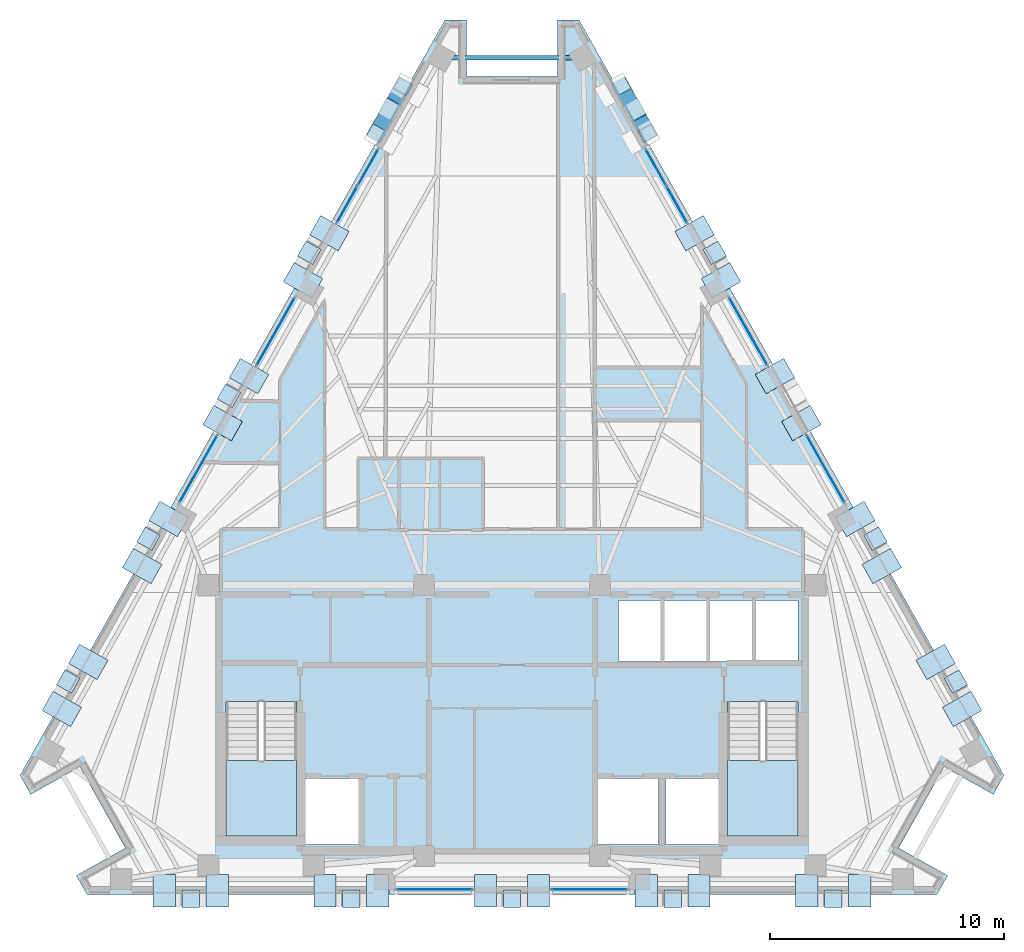
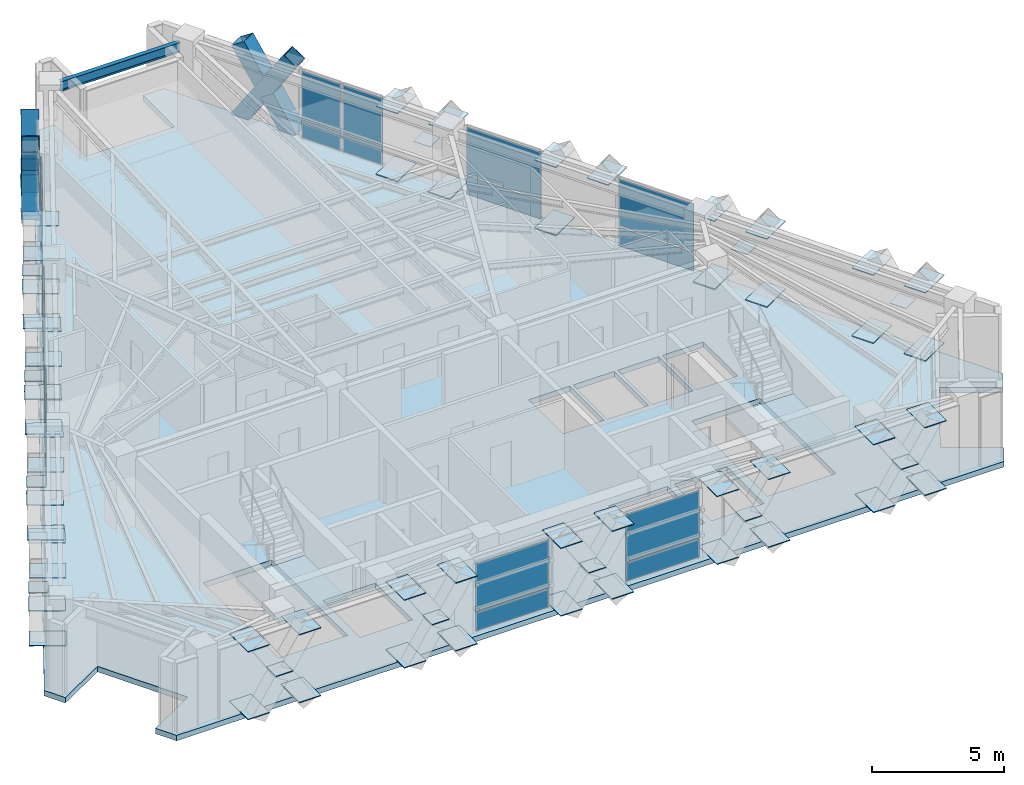
# One storey, part 6 of 12: 83 plates, 6 members, 3 slabs, 1 beam, 10 elements without a shape of their own.
"""IFC4 building model written with IfcOpenShell, lengths in metres."""

from ifc_helpers import new_model, si_unit, direction, frame, origin, origin_2d, place, context, subcontext, project, spatial, polyline, rectangle, hollow_rectangle, i_section, outline, extrude, material, layer, layer_set, material_profile, profile_set, type_object, element, aggregate, save


model = new_model("IFC4")

# Units and contexts
model_context = context("Model", 3, precision=1e-05, world=origin(), true_north=direction((0.0, 1.0)))
body_context = subcontext(model_context, "Body", "Model", "MODEL_VIEW")
ifc_project = project(units=[si_unit("LENGTHUNIT", "METRE"), si_unit("AREAUNIT", "SQUARE_METRE"), si_unit("VOLUMEUNIT", "CUBIC_METRE"), si_unit("PLANEANGLEUNIT", "RADIAN"), si_unit("MASSUNIT", "GRAM", prefix="KILO")], contexts=[model_context])

# Site, building, storey
site_placement = place(None, origin())
site = spatial("IfcSite", under=ifc_project, at=site_placement, CompositionType="ELEMENT")
building_placement = place(site_placement, origin())
building = spatial("IfcBuilding", under=site, at=building_placement, Name="Quenlor Broadcast Tower", CompositionType="ELEMENT")
storey_placement = place(building_placement, frame((0.0, 0.0, 193.89990234375)))
storey = spatial("IfcBuildingStorey", under=building, at=storey_placement, Name="L53", CompositionType="ELEMENT", Elevation=193.89990234375)

# Members
ifc_material_1 = material(Name="Steel S355", Category="steel")
ifc_material_profile_1 = material_profile(ifc_material_1, hollow_rectangle(XDim=0.679931640625, YDim=0.679931640625, WallThickness=0.02490234375, at=origin_2d()))
ifc_profile_set_1 = profile_set([ifc_material_profile_1], Name="Steel S355 RHS680x680x25")
member_type = type_object("IfcMemberType", Name="Perimeter Diagonal Lattice Brace Z3-Z4 Steel S355 RHS680x25", PredefinedType="BRACE", material=ifc_profile_set_1)
member_1_placement = place(storey_placement, frame((4.650390625, 16.4794921875, -0.119873046875), z_axis=(0.269493020061, -0.479144022478, 0.835340959047), x_axis=(0.871595351467, 0.490226012469, 0.0)))
element("IfcMember", 1, at=member_1_placement, inside=storey, type_object=member_type, Name="L53 Perimeter Diamond Lattice NE-C1XA", PredefinedType="BRACE", context=body_context, shape_type="SweptSolid", body=[
    extrude(hollow_rectangle(XDim=0.679931640625, YDim=0.679931640625, WallThickness=0.02490234375, at=origin_2d()), origin(), (0.0, 0.0, 1.0), 4.18994140625),
])
for number, where, z_axis, x_axis, name in (
    (2, (5.779541015625, 14.471923828125, -0.119873046875), (-0.269535527865, 0.479130165145, 0.835335192642), (-0.871556252289, -0.490295522207, 0.0), "L53 Perimeter Diamond Lattice NE-C1XB1"),
    (3, (5.147705078125, 15.595458984375, 1.8388671875), (-0.269535527865, 0.479130165145, 0.835335192642), (-0.871556252289, -0.490295522207, 0.0), "L53 Perimeter Diamond Lattice NE-C1XB2"),
):
    element("IfcMember", number, at=place(storey_placement, frame(where, z_axis=z_axis, x_axis=x_axis)), inside=storey, type_object=member_type, Name=name, PredefinedType="BRACE", context=body_context, shape_type="SweptSolid", body=[
        extrude(hollow_rectangle(XDim=0.679931640625, YDim=0.679931640625, WallThickness=0.02490234375, at=origin_2d()), origin(), (0.0, 0.0, 1.0), 1.844970703125),
    ])
member_2_placement = place(storey_placement, frame((-5.779541015625, 14.471923828125, -0.119873046875), z_axis=(0.269493020061, 0.479144022478, 0.835340959047), x_axis=(-0.871595351467, 0.490226012469, 0.0)))
element("IfcMember", 4, at=member_2_placement, inside=storey, type_object=member_type, Name="L53 Perimeter Diamond Lattice NW-C5XA", PredefinedType="BRACE", context=body_context, shape_type="SweptSolid", body=[
    extrude(hollow_rectangle(XDim=0.679931640625, YDim=0.679931640625, WallThickness=0.02490234375, at=origin_2d()), origin(), (0.0, 0.0, 1.0), 4.18994140625),
])
for number, where, z_axis, x_axis, name in (
    (5, (-4.650390625, 16.4794921875, -0.119873046875), (-0.269535527865, -0.479130165145, 0.835335192642), (0.871556252289, -0.490295522207, 0.0), "L53 Perimeter Diamond Lattice NW-C5XB1"),
    (6, (-5.2822265625, 15.35595703125, 1.8388671875), (-0.269535527865, -0.479130165145, 0.835335192642), (0.871556252289, -0.490295522207, 0.0), "L53 Perimeter Diamond Lattice NW-C5XB2"),
):
    element("IfcMember", number, at=place(storey_placement, frame(where, z_axis=z_axis, x_axis=x_axis)), inside=storey, type_object=member_type, Name=name, PredefinedType="BRACE", context=body_context, shape_type="SweptSolid", body=[
        extrude(hollow_rectangle(XDim=0.679931640625, YDim=0.679931640625, WallThickness=0.02490234375, at=origin_2d()), origin(), (0.0, 0.0, 1.0), 1.844970703125),
    ])

# Beam
ifc_material_2 = material(Name="Steel S355", Category="steel")
ifc_material_profile_2 = material_profile(ifc_material_2, i_section(OverallWidth=0.18994140625, OverallDepth=0.453857421875, WebThickness=0.008544921875, FlangeThickness=0.0126953125, FilletRadius=0.011474609375, at=origin_2d()))
ifc_profile_set_2 = profile_set([ifc_material_profile_2], Name="Steel S355 460UB67.1")
beam_type = type_object("IfcBeamType", Name="Perimeter Spandrel Beam Z4 Steel S355 460UB67.1", PredefinedType="SPANDREL", material=ifc_profile_set_2)
beam_placement = place(storey_placement, frame((2.610595703125, 17.704345703125, 3.023193359375), z_axis=(-1.0, 0.0, 0.0), x_axis=(0.0, -1.0, 0.0)))
element("IfcBeam", 7, at=beam_placement, inside=storey, type_object=beam_type, Name="L53 Spandrel Beam NE4-NW1", PredefinedType="SPANDREL", context=body_context, shape_type="SweptSolid", body=[
    extrude(i_section(OverallWidth=0.18994140625, OverallDepth=0.453857421875, WebThickness=0.008544921875, FlangeThickness=0.0126953125, FilletRadius=0.011474609375, at=origin_2d()), origin(), (0.0, 0.0, 1.0), 5.22119140625),
])

# Curtain wall, plates
ifc_material_3 = material(Name="Architectural Terracotta and Low-E Glazing", Category="masonry")
curtain_wall_type = type_object("IfcCurtainWallType", Name="Unitised Terracotta Curtain Wall System Z4", PredefinedType="NOTDEFINED", material=ifc_material_3)
curtain_wall_1_placement = place(storey_placement, origin())
curtain_wall_1 = element("IfcCurtainWall", 8, at=curtain_wall_1_placement, inside=storey, type_object=curtain_wall_type, Name="L53 Curtain Wall CW4 (L53-S-G1)", PredefinedType="NOTDEFINED")
ifc_material_4 = material(Name="Double Glazed Low-E Solar Glass", Category="glass")
ifc_layer_1 = layer(ifc_material_4, 0.028076171875)
ifc_layer_set_1 = layer_set([ifc_layer_1], Name="CW4 Double Glazed Vision Panel 28")
plate_type_1 = type_object("IfcPlateType", Name="CW4 Double Glazed Vision Panel 28", PredefinedType="CURTAIN_PANEL", material=ifc_layer_set_1)
plate_1_placement = place(storey_placement, frame((3.29443359375, -17.77490234375, 0.068359375), z_axis=(0.0, 0.0, 1.0), x_axis=(-1.0, 0.0, 0.0)))
plate_1 = element("IfcPlate", 9, at=plate_1_placement, type_object=plate_type_1, Name="CW4 panel 1.1", PredefinedType="CURTAIN_PANEL", context=body_context, shape_type="SweptSolid", body=[
    extrude(rectangle(XDim=3.210693359375, YDim=0.028076171875, at=origin_2d()), origin(), (0.0, 0.0, 1.0), 0.847900390625),
])
plate_2_placement = place(storey_placement, frame((3.29443359375, -17.77490234375, 0.98388671875), z_axis=(0.0, 0.0, 1.0), x_axis=(-1.0, 0.0, 0.0)))
plate_2 = element("IfcPlate", 10, at=plate_2_placement, type_object=plate_type_1, Name="CW4 panel 1.2", PredefinedType="CURTAIN_PANEL", context=body_context, shape_type="SweptSolid", body=[
    extrude(rectangle(XDim=3.210693359375, YDim=0.028076171875, at=origin_2d()), origin(), (0.0, 0.0, 1.0), 2.197998046875),
])
aggregate(curtain_wall_1, [plate_1, plate_2])

curtain_wall_2_placement = place(storey_placement, origin())
curtain_wall_2 = element("IfcCurtainWall", 11, at=curtain_wall_2_placement, inside=storey, type_object=curtain_wall_type, Name="L53 Curtain Wall CW4 (L53-S-G2)", PredefinedType="NOTDEFINED")
plate_3_placement = place(storey_placement, frame((-3.29443359375, -17.77490234375, 0.068359375), z_axis=(0.0, 0.0, 1.0), x_axis=(-1.0, 0.0, 0.0)))
plate_3 = element("IfcPlate", 12, at=plate_3_placement, type_object=plate_type_1, Name="CW4 panel 1.1", PredefinedType="CURTAIN_PANEL", context=body_context, shape_type="SweptSolid", body=[
    extrude(rectangle(XDim=3.210693359375, YDim=0.028076171875, at=origin_2d()), origin(), (0.0, 0.0, 1.0), 0.847900390625),
])
plate_4_placement = place(storey_placement, frame((-3.29443359375, -17.77490234375, 0.98388671875), z_axis=(0.0, 0.0, 1.0), x_axis=(-1.0, 0.0, 0.0)))
plate_4 = element("IfcPlate", 13, at=plate_4_placement, type_object=plate_type_1, Name="CW4 panel 1.2", PredefinedType="CURTAIN_PANEL", context=body_context, shape_type="SweptSolid", body=[
    extrude(rectangle(XDim=3.210693359375, YDim=0.028076171875, at=origin_2d()), origin(), (0.0, 0.0, 1.0), 2.197998046875),
])
aggregate(curtain_wall_2, [plate_3, plate_4])

curtain_wall_3_placement = place(storey_placement, origin())
curtain_wall_3 = element("IfcCurtainWall", 14, at=curtain_wall_3_placement, inside=storey, type_object=curtain_wall_type, Name="L53 Curtain Wall CW4 (L53-NEA-G1)", PredefinedType="NOTDEFINED")
plate_5_placement = place(storey_placement, frame((6.13916015625, 13.02685546875, 0.068359375), z_axis=(0.0, 0.0, 1.0), x_axis=(0.490259959025, -0.871576257465, 0.0)))
plate_5 = element("IfcPlate", 15, at=plate_5_placement, type_object=plate_type_1, Name="CW4 panel 1.1", PredefinedType="CURTAIN_PANEL", context=body_context, shape_type="SweptSolid", body=[
    extrude(rectangle(XDim=1.751708984375, YDim=0.028076171875, at=origin_2d()), origin(), (0.0, 0.0, 1.0), 0.847900390625),
])
plate_6_placement = place(storey_placement, frame((6.13916015625, 13.02685546875, 0.98388671875), z_axis=(0.0, 0.0, 1.0), x_axis=(0.490259959025, -0.871576257465, 0.0)))
plate_6 = element("IfcPlate", 16, at=plate_6_placement, type_object=plate_type_1, Name="CW4 panel 1.2", PredefinedType="CURTAIN_PANEL", context=body_context, shape_type="SweptSolid", body=[
    extrude(rectangle(XDim=1.751708984375, YDim=0.028076171875, at=origin_2d()), origin(), (0.0, 0.0, 1.0), 2.197998046875),
])
plate_7_placement = place(storey_placement, frame((7.03125, 11.44091796875, 0.068359375), z_axis=(0.0, 0.0, 1.0), x_axis=(0.490259959025, -0.871576257465, 0.0)))
plate_7 = element("IfcPlate", 17, at=plate_7_placement, type_object=plate_type_1, Name="CW4 panel 2.1", PredefinedType="CURTAIN_PANEL", context=body_context, shape_type="SweptSolid", body=[
    extrude(rectangle(XDim=1.751708984375, YDim=0.028076171875, at=origin_2d()), origin(), (0.0, 0.0, 1.0), 0.847900390625),
])
plate_8_placement = place(storey_placement, frame((7.03125, 11.44091796875, 0.98388671875), z_axis=(0.0, 0.0, 1.0), x_axis=(0.490259959025, -0.871576257465, 0.0)))
plate_8 = element("IfcPlate", 18, at=plate_8_placement, type_object=plate_type_1, Name="CW4 panel 2.2", PredefinedType="CURTAIN_PANEL", context=body_context, shape_type="SweptSolid", body=[
    extrude(rectangle(XDim=1.751708984375, YDim=0.028076171875, at=origin_2d()), origin(), (0.0, 0.0, 1.0), 2.197998046875),
])
aggregate(curtain_wall_3, [plate_5, plate_6, plate_7, plate_8])

curtain_wall_4_placement = place(storey_placement, origin())
curtain_wall_4 = element("IfcCurtainWall", 19, at=curtain_wall_4_placement, inside=storey, type_object=curtain_wall_type, Name="L53 Curtain Wall CW4 (L53-NE-G1)", PredefinedType="NOTDEFINED")
plate_9_placement = place(storey_placement, frame((10.081787109375, 6.01806640625, 0.068359375), z_axis=(0.0, 0.0, 1.0), x_axis=(0.490257089819, -0.871577871382, 0.0)))
plate_9 = element("IfcPlate", 20, at=plate_9_placement, type_object=plate_type_1, Name="CW4 panel 1.1", PredefinedType="CURTAIN_PANEL", context=body_context, shape_type="SweptSolid", body=[
    extrude(rectangle(XDim=3.29638671875, YDim=0.028076171875, at=origin_2d()), origin(), (0.0, 0.0, 1.0), 0.847900390625),
])
plate_10_placement = place(storey_placement, frame((10.081787109375, 6.01806640625, 0.98388671875), z_axis=(0.0, 0.0, 1.0), x_axis=(0.490257089819, -0.871577871382, 0.0)))
plate_10 = element("IfcPlate", 21, at=plate_10_placement, type_object=plate_type_1, Name="CW4 panel 1.2", PredefinedType="CURTAIN_PANEL", context=body_context, shape_type="SweptSolid", body=[
    extrude(rectangle(XDim=3.29638671875, YDim=0.028076171875, at=origin_2d()), origin(), (0.0, 0.0, 1.0), 2.197998046875),
])
aggregate(curtain_wall_4, [plate_9, plate_10])

curtain_wall_5_placement = place(storey_placement, origin())
curtain_wall_5 = element("IfcCurtainWall", 22, at=curtain_wall_5_placement, inside=storey, type_object=curtain_wall_type, Name="L53 Curtain Wall CW4 (L53-NE-G2)", PredefinedType="NOTDEFINED")
plate_11_placement = place(storey_placement, frame((13.3759765625, 0.161376953125, 0.068359375), z_axis=(0.0, 0.0, 1.0), x_axis=(0.490257089819, -0.871577871382, 0.0)))
plate_11 = element("IfcPlate", 23, at=plate_11_placement, type_object=plate_type_1, Name="CW4 panel 1.1", PredefinedType="CURTAIN_PANEL", context=body_context, shape_type="SweptSolid", body=[
    extrude(rectangle(XDim=3.29638671875, YDim=0.028076171875, at=origin_2d()), origin(), (0.0, 0.0, 1.0), 0.847900390625),
])
plate_12_placement = place(storey_placement, frame((13.3759765625, 0.161376953125, 0.98388671875), z_axis=(0.0, 0.0, 1.0), x_axis=(0.490257089819, -0.871577871382, 0.0)))
plate_12 = element("IfcPlate", 24, at=plate_12_placement, type_object=plate_type_1, Name="CW4 panel 1.2", PredefinedType="CURTAIN_PANEL", context=body_context, shape_type="SweptSolid", body=[
    extrude(rectangle(XDim=3.29638671875, YDim=0.028076171875, at=origin_2d()), origin(), (0.0, 0.0, 1.0), 2.197998046875),
])
aggregate(curtain_wall_5, [plate_11, plate_12])

curtain_wall_6_placement = place(storey_placement, origin())
curtain_wall_6 = element("IfcCurtainWall", 25, at=curtain_wall_6_placement, inside=storey, type_object=curtain_wall_type, Name="L53 Curtain Wall CW4 (L53-NWC-G1)", PredefinedType="NOTDEFINED")
plate_13_placement = place(storey_placement, frame((-7.03125, 11.44091796875, 0.068359375), z_axis=(0.0, 0.0, 1.0), x_axis=(0.490259959025, 0.871576257465, 0.0)))
plate_13 = element("IfcPlate", 26, at=plate_13_placement, type_object=plate_type_1, Name="CW4 panel 1.1", PredefinedType="CURTAIN_PANEL", context=body_context, shape_type="SweptSolid", body=[
    extrude(rectangle(XDim=1.751708984375, YDim=0.028076171875, at=origin_2d()), origin(), (0.0, 0.0, 1.0), 0.847900390625),
])
plate_14_placement = place(storey_placement, frame((-7.03125, 11.44091796875, 0.98388671875), z_axis=(0.0, 0.0, 1.0), x_axis=(0.490259959025, 0.871576257465, 0.0)))
plate_14 = element("IfcPlate", 27, at=plate_14_placement, type_object=plate_type_1, Name="CW4 panel 1.2", PredefinedType="CURTAIN_PANEL", context=body_context, shape_type="SweptSolid", body=[
    extrude(rectangle(XDim=1.751708984375, YDim=0.028076171875, at=origin_2d()), origin(), (0.0, 0.0, 1.0), 2.197998046875),
])
plate_15_placement = place(storey_placement, frame((-6.13916015625, 13.02685546875, 0.068359375), z_axis=(0.0, 0.0, 1.0), x_axis=(0.490259959025, 0.871576257465, 0.0)))
plate_15 = element("IfcPlate", 28, at=plate_15_placement, type_object=plate_type_1, Name="CW4 panel 2.1", PredefinedType="CURTAIN_PANEL", context=body_context, shape_type="SweptSolid", body=[
    extrude(rectangle(XDim=1.751708984375, YDim=0.028076171875, at=origin_2d()), origin(), (0.0, 0.0, 1.0), 0.847900390625),
])
plate_16_placement = place(storey_placement, frame((-6.13916015625, 13.02685546875, 0.98388671875), z_axis=(0.0, 0.0, 1.0), x_axis=(0.490259959025, 0.871576257465, 0.0)))
plate_16 = element("IfcPlate", 29, at=plate_16_placement, type_object=plate_type_1, Name="CW4 panel 2.2", PredefinedType="CURTAIN_PANEL", context=body_context, shape_type="SweptSolid", body=[
    extrude(rectangle(XDim=1.751708984375, YDim=0.028076171875, at=origin_2d()), origin(), (0.0, 0.0, 1.0), 2.197998046875),
])
aggregate(curtain_wall_6, [plate_13, plate_14, plate_15, plate_16])

curtain_wall_7_placement = place(storey_placement, origin())
curtain_wall_7 = element("IfcCurtainWall", 30, at=curtain_wall_7_placement, inside=storey, type_object=curtain_wall_type, Name="L53 Curtain Wall CW4 (L53-NW-G1)", PredefinedType="NOTDEFINED")
plate_17_placement = place(storey_placement, frame((-13.3759765625, 0.161376953125, 0.068359375), z_axis=(0.0, 0.0, 1.0), x_axis=(0.490257089819, 0.871577871382, 0.0)))
plate_17 = element("IfcPlate", 31, at=plate_17_placement, type_object=plate_type_1, Name="CW4 panel 1.1", PredefinedType="CURTAIN_PANEL", context=body_context, shape_type="SweptSolid", body=[
    extrude(rectangle(XDim=3.29638671875, YDim=0.028076171875, at=origin_2d()), origin(), (0.0, 0.0, 1.0), 0.847900390625),
])
plate_18_placement = place(storey_placement, frame((-13.3759765625, 0.161376953125, 0.98388671875), z_axis=(0.0, 0.0, 1.0), x_axis=(0.490257089819, 0.871577871382, 0.0)))
plate_18 = element("IfcPlate", 32, at=plate_18_placement, type_object=plate_type_1, Name="CW4 panel 1.2", PredefinedType="CURTAIN_PANEL", context=body_context, shape_type="SweptSolid", body=[
    extrude(rectangle(XDim=3.29638671875, YDim=0.028076171875, at=origin_2d()), origin(), (0.0, 0.0, 1.0), 2.197998046875),
])
aggregate(curtain_wall_7, [plate_17, plate_18])

curtain_wall_8_placement = place(storey_placement, origin())
curtain_wall_8 = element("IfcCurtainWall", 33, at=curtain_wall_8_placement, inside=storey, type_object=curtain_wall_type, Name="L53 Curtain Wall CW4 (L53-NW-G2)", PredefinedType="NOTDEFINED")
plate_19_placement = place(storey_placement, frame((-10.081787109375, 6.01806640625, 0.068359375), z_axis=(0.0, 0.0, 1.0), x_axis=(0.490257089819, 0.871577871382, 0.0)))
plate_19 = element("IfcPlate", 34, at=plate_19_placement, type_object=plate_type_1, Name="CW4 panel 1.1", PredefinedType="CURTAIN_PANEL", context=body_context, shape_type="SweptSolid", body=[
    extrude(rectangle(XDim=3.29638671875, YDim=0.028076171875, at=origin_2d()), origin(), (0.0, 0.0, 1.0), 0.847900390625),
])
plate_20_placement = place(storey_placement, frame((-10.081787109375, 6.01806640625, 0.98388671875), z_axis=(0.0, 0.0, 1.0), x_axis=(0.490257089819, 0.871577871382, 0.0)))
plate_20 = element("IfcPlate", 35, at=plate_20_placement, type_object=plate_type_1, Name="CW4 panel 1.2", PredefinedType="CURTAIN_PANEL", context=body_context, shape_type="SweptSolid", body=[
    extrude(rectangle(XDim=3.29638671875, YDim=0.028076171875, at=origin_2d()), origin(), (0.0, 0.0, 1.0), 2.197998046875),
])
aggregate(curtain_wall_8, [plate_19, plate_20])

# Plates
ifc_material_5 = material(Name="Steel S355", Category="steel")
ifc_layer_2 = layer(ifc_material_5, 0.028076171875)
ifc_layer_set_2 = layer_set([ifc_layer_2], Name="Perimeter Lattice Node Steel S355 Cap Plate 740x740x28")
plate_type_2 = type_object("IfcPlateType", Name="Perimeter Lattice Node Steel S355 Cap Plate 740x740x28", PredefinedType="USERDEFINED", material=ifc_layer_set_2)
for number, where, z_axis, x_axis, name in (
    (36, (13.70068359375, -18.169921875, 1.6162109375), (0.0, 0.0, 1.0), (-1.0, 0.0, 0.0), "L53 Diamond Lattice Crossing Node S-C1"),
    (37, (6.850341796875, -18.169921875, 1.6162109375), (0.0, 0.0, 1.0), (-1.0, 0.0, 0.0), "L53 Diamond Lattice Crossing Node S-C2"),
    (38, (0.0, -18.169921875, 1.6162109375), (0.0, 0.0, 1.0), (-1.0, 0.0, 0.0), "L53 Diamond Lattice Crossing Node S-C3"),
    (39, (-6.850341796875, -18.169921875, 1.6162109375), (0.0, 0.0, 1.0), (-1.0, 0.0, 0.0), "L53 Diamond Lattice Crossing Node S-C4"),
    (40, (-13.70068359375, -18.169921875, 1.6162109375), (0.0, 0.0, 1.0), (-1.0, 0.0, 0.0), "L53 Diamond Lattice Crossing Node S-C5"),
    (41, (8.64404296875, 9.379638671875, 1.6162109375), (0.0, 0.0, 1.0), (0.490295412055, -0.871556314255, 0.0), "L53 Diamond Lattice Crossing Node NE-C2"),
    (42, (15.502197265625, -2.81298828125, 1.6162109375), (0.0, 0.0, 1.0), (0.490295412055, -0.871556314255, 0.0), "L53 Diamond Lattice Crossing Node NE-C4"),
    (43, (18.931396484375, -8.908935546875, 1.6162109375), (0.0, 0.0, 1.0), (0.490295412055, -0.871556314255, 0.0), "L53 Diamond Lattice Crossing Node NE-C5"),
    (44, (-18.931396484375, -8.908935546875, 1.6162109375), (0.0, 0.0, 1.0), (0.490295412055, 0.871556314255, 0.0), "L53 Diamond Lattice Crossing Node NW-C1"),
    (45, (-15.502197265625, -2.81298828125, 1.6162109375), (0.0, 0.0, 1.0), (0.490295412055, 0.871556314255, 0.0), "L53 Diamond Lattice Crossing Node NW-C2"),
    (46, (-12.0732421875, 3.283447265625, 1.6162109375), (0.0, 0.0, 1.0), (0.490295412055, 0.871556314255, 0.0), "L53 Diamond Lattice Crossing Node NW-C3"),
    (47, (-8.64404296875, 9.379638671875, 1.6162109375), (0.0, 0.0, 1.0), (0.490295412055, 0.871556314255, 0.0), "L53 Diamond Lattice Crossing Node NW-C4"),
):
    element("IfcPlate", number, at=place(storey_placement, frame(where, z_axis=z_axis, x_axis=x_axis)), inside=storey, type_object=plate_type_2, Name=name, ObjectType="CAP PLATE", PredefinedType="USERDEFINED", context=body_context, shape_type="SweptSolid", body=[
        extrude(rectangle(XDim=0.739990234375, YDim=0.739990234375, at=origin_2d()), origin(), (0.0, 0.0, 1.0), 0.028076171875),
    ])

# Stair, slab
ifc_material_6 = material(Name="Precast concrete C40/50", Category="concrete")
stair_type = type_object("IfcStairType", Name="Precast Concrete C40/50 Dogleg Stair H350", PredefinedType="HALF_TURN_STAIR", material=ifc_material_6)
stair_1_placement = place(storey_placement, origin())
stair_1 = element("IfcStair", 48, at=stair_1_placement, inside=storey, type_object=stair_type, Name="L53 West Core Fire-Isolated Exit Stair ST-1", PredefinedType="HALF_TURN_STAIR")
ifc_material_7 = material(Name="Precast concrete C40/50", Category="concrete")
ifc_layer_3 = layer(ifc_material_7, 0.199951171875)
ifc_layer_set_3 = layer_set([ifc_layer_3], Name="Precast Concrete C40/50 Stair Landing Slab 200")
slab_type_1 = type_object("IfcSlabType", Name="Precast Concrete C40/50 Stair Landing Slab 200", PredefinedType="LANDING", material=ifc_layer_set_3)
slab_1_placement = place(storey_placement, frame((0.0, 0.0, 1.550048828125)))
slab_1 = element("IfcSlab", 49, at=slab_1_placement, type_object=slab_type_1, Name="ST-1 landing 1", PredefinedType="LANDING", context=body_context, shape_type="SweptSolid", body=[
    extrude(outline(polyline([(-12.199951171875, -12.27001953125), (-12.199951171875, -15.5), (-9.199951171875, -15.5), (-9.199951171875, -12.27001953125), (-12.199951171875, -12.27001953125)])), origin(), (0.0, 0.0, 1.0), 0.199951171875),
])
aggregate(stair_1, [slab_1])

stair_2_placement = place(storey_placement, origin())
stair_2 = element("IfcStair", 50, at=stair_2_placement, inside=storey, type_object=stair_type, Name="L53 East Core Fire-Isolated Exit Stair ST-2", PredefinedType="HALF_TURN_STAIR")
slab_2_placement = place(storey_placement, frame((0.0, 0.0, 1.550048828125)))
slab_2 = element("IfcSlab", 51, at=slab_2_placement, type_object=slab_type_1, Name="ST-2 landing 1", PredefinedType="LANDING", context=body_context, shape_type="SweptSolid", body=[
    extrude(outline(polyline([(9.199951171875, -12.27001953125), (9.199951171875, -15.5), (12.199951171875, -15.5), (12.199951171875, -12.27001953125), (9.199951171875, -12.27001953125)])), origin(), (0.0, 0.0, 1.0), 0.199951171875),
])
aggregate(stair_2, [slab_2])

# Slab
ifc_material_8 = material(Name="Concrete C40/50", Category="concrete")
ifc_layer_4 = layer(ifc_material_8, 0.25)
ifc_layer_set_4 = layer_set([ifc_layer_4], Name="Tower Composite Concrete C40/50 Slab 250")
slab_type_2 = type_object("IfcSlabType", Name="Tower Composite Concrete C40/50 Slab 250", PredefinedType="FLOOR", material=ifc_layer_set_4)
slab_3_placement = place(storey_placement, frame((0.0, 0.0, -0.25)))
element("IfcSlab", 52, at=slab_3_placement, inside=storey, type_object=slab_type_2, Name="L53 Structural Floor Slab", PredefinedType="FLOOR", context=body_context, shape_type="SweptSolid", body=[
    extrude(outline(polyline([(18.1259765625, -18.0), (18.583984375, -17.185791015625), (16.4921875, -16.00927734375), (18.438232421875, -12.549560546875), (20.530029296875, -13.72607421875), (20.988037109375, -12.912109375), (2.862060546875, 19.31201171875), (1.9462890625, 19.31201171875), (1.9462890625, 16.912109375), (-1.9462890625, 16.912109375), (-1.9462890625, 19.31201171875), (-2.862060546875, 19.31201171875), (-20.988037109375, -12.912109375), (-20.530029296875, -13.72607421875), (-18.438232421875, -12.549560546875), (-16.4921875, -16.00927734375), (-18.583984375, -17.185791015625), (-18.1259765625, -18.0), (18.1259765625, -18.0)]), holes=[polyline([(-12.199951171875, -9.758056640625), (-12.199951171875, -15.5), (-9.199951171875, -15.5), (-9.199951171875, -9.758056640625), (-12.199951171875, -9.758056640625)]), polyline([(9.199951171875, -9.758056640625), (9.199951171875, -15.5), (12.199951171875, -15.5), (12.199951171875, -9.758056640625), (9.199951171875, -9.758056640625)]), polyline([(4.550048828125, -8.050048828125), (6.35009765625, -8.050048828125), (6.35009765625, -5.449951171875), (4.550048828125, -5.449951171875), (4.550048828125, -8.050048828125)]), polyline([(6.5, -8.050048828125), (8.300048828125, -8.050048828125), (8.300048828125, -5.449951171875), (6.5, -5.449951171875), (6.5, -8.050048828125)]), polyline([(8.449951171875, -8.050048828125), (10.25, -8.050048828125), (10.25, -5.449951171875), (8.449951171875, -5.449951171875), (8.449951171875, -8.050048828125)]), polyline([(10.39990234375, -8.050048828125), (12.199951171875, -8.050048828125), (12.199951171875, -5.449951171875), (10.39990234375, -5.449951171875), (10.39990234375, -8.050048828125)]), polyline([(-8.85009765625, -15.85009765625), (-6.550048828125, -15.85009765625), (-6.550048828125, -13.050048828125), (-8.85009765625, -13.050048828125), (-8.85009765625, -15.85009765625)]), polyline([(6.550048828125, -15.85009765625), (8.85009765625, -15.85009765625), (8.85009765625, -13.050048828125), (6.550048828125, -13.050048828125), (6.550048828125, -15.85009765625)]), polyline([(3.64990234375, -15.85009765625), (6.25, -15.85009765625), (6.25, -13.050048828125), (3.64990234375, -13.050048828125), (3.64990234375, -15.85009765625)])]), origin(), (0.0, 0.0, 1.0), 0.25),
])

# Plates
ifc_material_9 = material(Name="Steel S355", Category="steel")
ifc_layer_5 = layer(ifc_material_9, 0.035888671875)
ifc_layer_set_5 = layer_set([ifc_layer_5], Name="Transfer Truss Steel S355 Gusset Node Plate 1400x950x36")
plate_type_3 = type_object("IfcPlateType", Name="Transfer Truss Steel S355 Gusset Node Plate 1400x950x36", PredefinedType="SHEET", material=ifc_layer_set_5)
for number, where, z_axis, x_axis, name in (
    (53, (14.828857421875, -17.8349609375, 0.0419921875), (0.0, 0.0, 1.0), (0.0, -1.0, 0.0), "L53 Lattice Tie Gusset Node S-B1"),
    (54, (12.57275390625, -17.8349609375, 3.18212890625), (0.0, 0.0, 1.0), (0.0, -1.0, 0.0), "L53 Lattice Tie Gusset Node S-T2"),
    (55, (12.57275390625, -17.8349609375, 0.0419921875), (0.0, 0.0, 1.0), (0.0, -1.0, 0.0), "L53 Lattice Tie Gusset Node S-B2"),
    (56, (14.828857421875, -17.8349609375, 3.18212890625), (0.0, 0.0, 1.0), (0.0, -1.0, 0.0), "L53 Lattice Tie Gusset Node S-T1"),
    (57, (7.978515625, -17.8349609375, 0.0419921875), (0.0, 0.0, 1.0), (0.0, -1.0, 0.0), "L53 Lattice Tie Gusset Node S-B4"),
    (58, (5.722412109375, -17.8349609375, 3.18212890625), (0.0, 0.0, 1.0), (0.0, -1.0, 0.0), "L53 Lattice Tie Gusset Node S-T5"),
    (59, (5.722412109375, -17.8349609375, 0.0419921875), (0.0, 0.0, 1.0), (0.0, -1.0, 0.0), "L53 Lattice Tie Gusset Node S-B5"),
    (60, (7.978515625, -17.8349609375, 3.18212890625), (0.0, 0.0, 1.0), (0.0, -1.0, 0.0), "L53 Lattice Tie Gusset Node S-T4"),
    (61, (1.1279296875, -17.8349609375, 0.0419921875), (0.0, 0.0, 1.0), (0.0, -1.0, 0.0), "L53 Lattice Tie Gusset Node S-B7"),
    (62, (-1.1279296875, -17.8349609375, 3.18212890625), (0.0, 0.0, 1.0), (0.0, -1.0, 0.0), "L53 Lattice Tie Gusset Node S-T8"),
    (63, (-1.1279296875, -17.8349609375, 0.0419921875), (0.0, 0.0, 1.0), (0.0, -1.0, 0.0), "L53 Lattice Tie Gusset Node S-B8"),
    (64, (1.1279296875, -17.8349609375, 3.18212890625), (0.0, 0.0, 1.0), (0.0, -1.0, 0.0), "L53 Lattice Tie Gusset Node S-T7"),
    (65, (-5.722412109375, -17.8349609375, 0.0419921875), (0.0, 0.0, 1.0), (0.0, -1.0, 0.0), "L53 Lattice Tie Gusset Node S-B10"),
    (66, (-7.978515625, -17.8349609375, 3.18212890625), (0.0, 0.0, 1.0), (0.0, -1.0, 0.0), "L53 Lattice Tie Gusset Node S-T11"),
    (67, (-7.978515625, -17.8349609375, 0.0419921875), (0.0, 0.0, 1.0), (0.0, -1.0, 0.0), "L53 Lattice Tie Gusset Node S-B11"),
    (68, (-5.722412109375, -17.8349609375, 3.18212890625), (0.0, 0.0, 1.0), (0.0, -1.0, 0.0), "L53 Lattice Tie Gusset Node S-T10"),
    (69, (-12.57275390625, -17.8349609375, 0.0419921875), (0.0, 0.0, 1.0), (0.0, -1.0, 0.0), "L53 Lattice Tie Gusset Node S-B13"),
    (70, (-14.828857421875, -17.8349609375, 3.18212890625), (0.0, 0.0, 1.0), (0.0, -1.0, 0.0), "L53 Lattice Tie Gusset Node S-T14"),
    (71, (-14.828857421875, -17.8349609375, 0.0419921875), (0.0, 0.0, 1.0), (0.0, -1.0, 0.0), "L53 Lattice Tie Gusset Node S-B14"),
    (72, (-12.57275390625, -17.8349609375, 3.18212890625), (0.0, 0.0, 1.0), (0.0, -1.0, 0.0), "L53 Lattice Tie Gusset Node S-T13"),
    (73, (7.787353515625, 10.218994140625, 0.0419921875), (0.0, 0.0, 1.0), (0.871556314255, 0.490295412055, 0.0), "L53 Lattice Tie Gusset Node NE-B4"),
    (74, (8.916748046875, 8.21142578125, 3.18212890625), (0.0, 0.0, 1.0), (0.871556314255, 0.490295412055, 0.0), "L53 Lattice Tie Gusset Node NE-T5"),
    (75, (8.916748046875, 8.21142578125, 0.0419921875), (0.0, 0.0, 1.0), (0.871556314255, 0.490295412055, 0.0), "L53 Lattice Tie Gusset Node NE-B5"),
    (76, (7.787353515625, 10.218994140625, 3.18212890625), (0.0, 0.0, 1.0), (0.871556314255, 0.490295412055, 0.0), "L53 Lattice Tie Gusset Node NE-T4"),
    (77, (11.216552734375, 4.123046875, 0.0419921875), (0.0, 0.0, 1.0), (0.871556314255, 0.490295412055, 0.0), "L53 Lattice Tie Gusset Node NE-B7"),
    (78, (12.345947265625, 2.115234375, 3.18212890625), (0.0, 0.0, 1.0), (0.871556314255, 0.490295412055, 0.0), "L53 Lattice Tie Gusset Node NE-T8"),
    (79, (11.216552734375, 4.123046875, 3.18212890625), (0.0, 0.0, 1.0), (0.871556314255, 0.490295412055, 0.0), "L53 Lattice Tie Gusset Node NE-T7"),
    (80, (14.6455078125, -1.97314453125, 0.0419921875), (0.0, 0.0, 1.0), (0.871556314255, 0.490295412055, 0.0), "L53 Lattice Tie Gusset Node NE-B10"),
    (81, (15.77490234375, -3.98095703125, 3.18212890625), (0.0, 0.0, 1.0), (0.871556314255, 0.490295412055, 0.0), "L53 Lattice Tie Gusset Node NE-T11"),
    (82, (15.77490234375, -3.98095703125, 0.0419921875), (0.0, 0.0, 1.0), (0.871556314255, 0.490295412055, 0.0), "L53 Lattice Tie Gusset Node NE-B11"),
    (83, (14.6455078125, -1.97314453125, 3.18212890625), (0.0, 0.0, 1.0), (0.871556314255, 0.490295412055, 0.0), "L53 Lattice Tie Gusset Node NE-T10"),
    (84, (18.07470703125, -8.0693359375, 0.0419921875), (0.0, 0.0, 1.0), (0.871556314255, 0.490295412055, 0.0), "L53 Lattice Tie Gusset Node NE-B13"),
    (85, (19.2041015625, -10.0771484375, 3.18212890625), (0.0, 0.0, 1.0), (0.871556314255, 0.490295412055, 0.0), "L53 Lattice Tie Gusset Node NE-T14"),
    (86, (19.2041015625, -10.0771484375, 0.0419921875), (0.0, 0.0, 1.0), (0.871556314255, 0.490295412055, 0.0), "L53 Lattice Tie Gusset Node NE-B14"),
    (87, (18.07470703125, -8.0693359375, 3.18212890625), (0.0, 0.0, 1.0), (0.871556314255, 0.490295412055, 0.0), "L53 Lattice Tie Gusset Node NE-T13"),
    (88, (-19.2041015625, -10.0771484375, 0.0419921875), (0.0, 0.0, 1.0), (-0.871556314255, 0.490295412055, 0.0), "L53 Lattice Tie Gusset Node NW-B1"),
    (89, (-18.07470703125, -8.0693359375, 3.18212890625), (0.0, 0.0, 1.0), (-0.871556314255, 0.490295412055, 0.0), "L53 Lattice Tie Gusset Node NW-T2"),
    (90, (-18.07470703125, -8.0693359375, 0.0419921875), (0.0, 0.0, 1.0), (-0.871556314255, 0.490295412055, 0.0), "L53 Lattice Tie Gusset Node NW-B2"),
    (91, (-19.2041015625, -10.0771484375, 3.18212890625), (0.0, 0.0, 1.0), (-0.871556314255, 0.490295412055, 0.0), "L53 Lattice Tie Gusset Node NW-T1"),
    (92, (-15.77490234375, -3.98095703125, 0.0419921875), (0.0, 0.0, 1.0), (-0.871556314255, 0.490295412055, 0.0), "L53 Lattice Tie Gusset Node NW-B4"),
    (93, (-14.6455078125, -1.97314453125, 3.18212890625), (0.0, 0.0, 1.0), (-0.871556314255, 0.490295412055, 0.0), "L53 Lattice Tie Gusset Node NW-T5"),
    (94, (-14.6455078125, -1.97314453125, 0.0419921875), (0.0, 0.0, 1.0), (-0.871556314255, 0.490295412055, 0.0), "L53 Lattice Tie Gusset Node NW-B5"),
    (95, (-15.77490234375, -3.98095703125, 3.18212890625), (0.0, 0.0, 1.0), (-0.871556314255, 0.490295412055, 0.0), "L53 Lattice Tie Gusset Node NW-T4"),
    (96, (-12.345947265625, 2.115234375, 0.0419921875), (0.0, 0.0, 1.0), (-0.871556314255, 0.490295412055, 0.0), "L53 Lattice Tie Gusset Node NW-B7"),
    (97, (-11.216552734375, 4.123046875, 3.18212890625), (0.0, 0.0, 1.0), (-0.871556314255, 0.490295412055, 0.0), "L53 Lattice Tie Gusset Node NW-T8"),
    (98, (-11.216552734375, 4.123046875, 0.0419921875), (0.0, 0.0, 1.0), (-0.871556314255, 0.490295412055, 0.0), "L53 Lattice Tie Gusset Node NW-B8"),
    (99, (-12.345947265625, 2.115234375, 3.18212890625), (0.0, 0.0, 1.0), (-0.871556314255, 0.490295412055, 0.0), "L53 Lattice Tie Gusset Node NW-T7"),
    (100, (-8.916748046875, 8.21142578125, 0.0419921875), (0.0, 0.0, 1.0), (-0.871556314255, 0.490295412055, 0.0), "L53 Lattice Tie Gusset Node NW-B10"),
    (101, (-7.787353515625, 10.218994140625, 3.18212890625), (0.0, 0.0, 1.0), (-0.871556314255, 0.490295412055, 0.0), "L53 Lattice Tie Gusset Node NW-T11"),
    (102, (-7.787353515625, 10.218994140625, 0.0419921875), (0.0, 0.0, 1.0), (-0.871556314255, 0.490295412055, 0.0), "L53 Lattice Tie Gusset Node NW-B11"),
    (103, (-8.916748046875, 8.21142578125, 3.18212890625), (0.0, 0.0, 1.0), (-0.871556314255, 0.490295412055, 0.0), "L53 Lattice Tie Gusset Node NW-T10"),
):
    element("IfcPlate", number, at=place(storey_placement, frame(where, z_axis=z_axis, x_axis=x_axis)), inside=storey, type_object=plate_type_3, Name=name, PredefinedType="SHEET", context=body_context, shape_type="SweptSolid", body=[
        extrude(rectangle(XDim=1.39990234375, YDim=0.949951171875, at=origin_2d()), origin(), (0.0, 0.0, 1.0), 0.035888671875),
    ])

save(model, "model.ifc")
